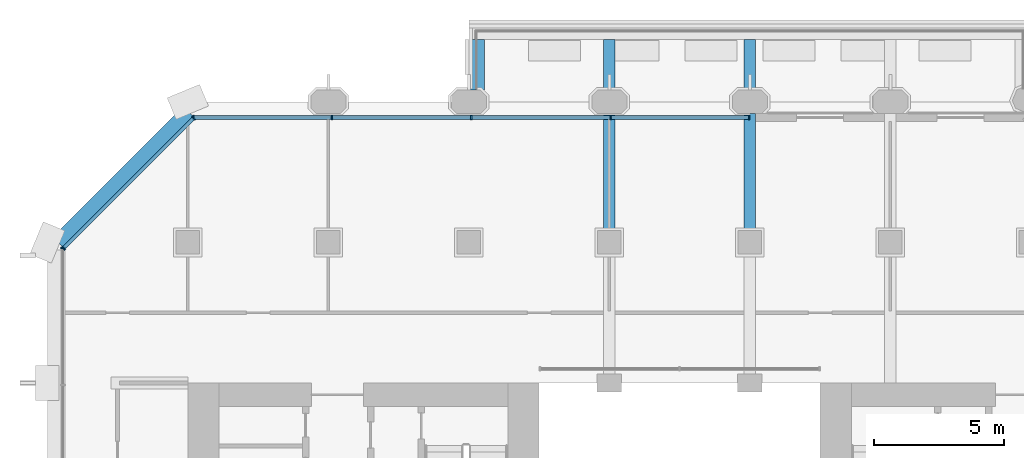
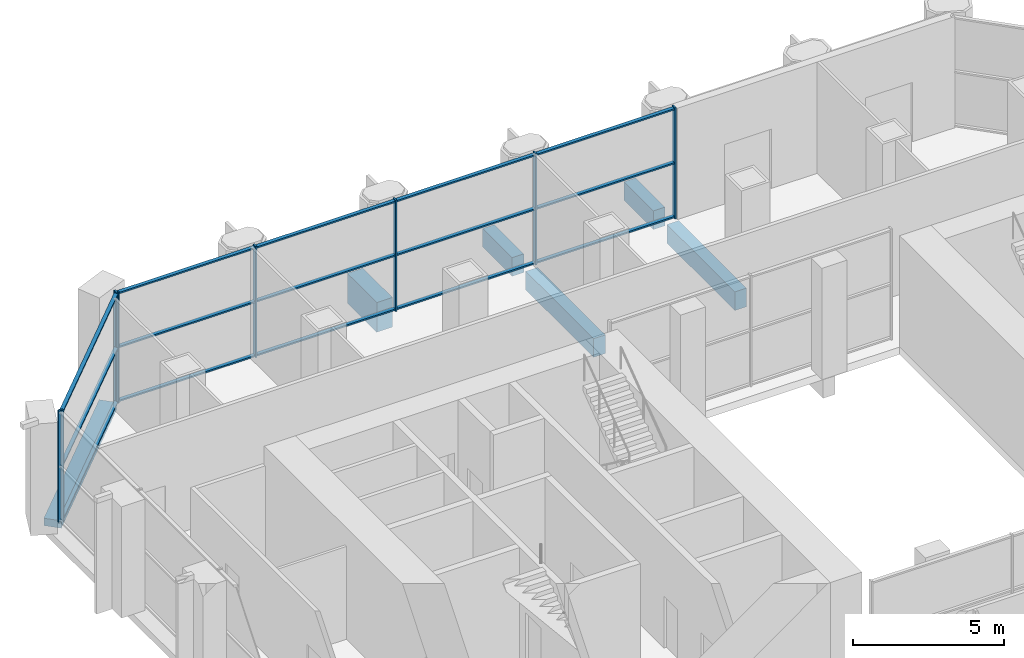
# One storey, part 7 of 15: 23 members, 6 beams, 3 elements without a shape of their own.
"""IFC4 building model written with IfcOpenShell, lengths in metres."""

from ifc_helpers import new_model, si_unit, direction, frame, origin, origin_2d, place, context, subcontext, project, spatial, rectangle, extrude, material, material_profile, profile_set, type_object, element, aggregate, save


model = new_model("IFC4")

# Units and contexts
model_context = context("Model", 3, precision=1e-05, world=origin(), true_north=direction((0.0, 1.0)))
body_context = subcontext(model_context, "Body", "Model", "MODEL_VIEW")
ifc_project = project(units=[si_unit("LENGTHUNIT", "METRE"), si_unit("AREAUNIT", "SQUARE_METRE"), si_unit("VOLUMEUNIT", "CUBIC_METRE"), si_unit("PLANEANGLEUNIT", "RADIAN"), si_unit("MASSUNIT", "GRAM", prefix="KILO")], contexts=[model_context])

# Site, building, storey
site_placement = place(None, origin())
site = spatial("IfcSite", under=ifc_project, at=site_placement, CompositionType="ELEMENT")
building_placement = place(site_placement, origin())
building = spatial("IfcBuilding", under=site, at=building_placement, Name="Tabaq Tower and Sports Hall", CompositionType="ELEMENT")
storey_placement = place(building_placement, frame((0.0, 0.0, 148.0)))
storey = spatial("IfcBuildingStorey", under=building, at=storey_placement, Name="L34", CompositionType="ELEMENT", Elevation=148.0)

# Curtain wall, members
ifc_material_1 = material(Name="Aluminium alloy 6063-T6 framed glazing", Category="aluminium")
curtain_wall_type = type_object("IfcCurtainWallType", Name="CW3 curtain wall", PredefinedType="USERDEFINED", material=ifc_material_1)
curtain_wall_1_placement = place(storey_placement, origin())
curtain_wall_1 = element("IfcCurtainWall", 1, at=curtain_wall_1_placement, inside=storey, type_object=curtain_wall_type, Name="Garden Floor Wall L34 N", ObjectType="GARDEN FLOOR WALL", PredefinedType="USERDEFINED")
ifc_material_2 = material(Name="Aluminium alloy 6063-T6", Category="aluminium")
ifc_material_profile_1 = material_profile(ifc_material_2, rectangle(XDim=0.179931640625, YDim=0.06005859375, at=origin_2d()), Name="MULLION 180x60")
ifc_profile_set_1 = profile_set([ifc_material_profile_1], Name="Aluminium alloy 6063-T6")
member_type_1 = type_object("IfcMemberType", Name="CW3 mullion 180x60", PredefinedType="MULLION", material=ifc_profile_set_1)
member_1_placement = place(storey_placement, frame((26.969970703125, 42.60009765625, 0.0), z_axis=(0.0, 0.0, 1.0), x_axis=(0.0, -1.0, 0.0)))
member_1 = element("IfcMember", 2, at=member_1_placement, type_object=member_type_1, Name="CW3 mullion 1", PredefinedType="MULLION", context=body_context, shape_type="SweptSolid", body=[
    extrude(rectangle(XDim=0.179931640625, YDim=0.06005859375, at=origin_2d()), origin(), (0.0, 0.0, 1.0), 4.5),
])
member_2_placement = place(storey_placement, frame((21.646484375, 42.60009765625, 0.0), z_axis=(0.0, 0.0, 1.0), x_axis=(0.0, -1.0, 0.0)))
member_2 = element("IfcMember", 3, at=member_2_placement, type_object=member_type_1, Name="CW3 mullion 2", PredefinedType="MULLION", context=body_context, shape_type="SweptSolid", body=[
    extrude(rectangle(XDim=0.179931640625, YDim=0.06005859375, at=origin_2d()), origin(), (0.0, 0.0, 1.0), 4.5),
])
member_3_placement = place(storey_placement, frame((16.293212890625, 42.60009765625, 0.0), z_axis=(0.0, 0.0, 1.0), x_axis=(0.0, -1.0, 0.0)))
member_3 = element("IfcMember", 4, at=member_3_placement, type_object=member_type_1, Name="CW3 mullion 3", PredefinedType="MULLION", context=body_context, shape_type="SweptSolid", body=[
    extrude(rectangle(XDim=0.179931640625, YDim=0.06005859375, at=origin_2d()), origin(), (0.0, 0.0, 1.0), 4.5),
])
member_4_placement = place(storey_placement, frame((10.939697265625, 42.60009765625, 0.0), z_axis=(0.0, 0.0, 1.0), x_axis=(0.0, -1.0, 0.0)))
member_4 = element("IfcMember", 5, at=member_4_placement, type_object=member_type_1, Name="CW3 mullion 4", PredefinedType="MULLION", context=body_context, shape_type="SweptSolid", body=[
    extrude(rectangle(XDim=0.179931640625, YDim=0.06005859375, at=origin_2d()), origin(), (0.0, 0.0, 1.0), 4.5),
])
member_5_placement = place(storey_placement, frame((5.616455078125, 42.60009765625, 0.0), z_axis=(0.0, 0.0, 1.0), x_axis=(0.0, -1.0, 0.0)))
member_5 = element("IfcMember", 6, at=member_5_placement, type_object=member_type_1, Name="CW3 mullion 5", PredefinedType="MULLION", context=body_context, shape_type="SweptSolid", body=[
    extrude(rectangle(XDim=0.179931640625, YDim=0.06005859375, at=origin_2d()), origin(), (0.0, 0.0, 1.0), 4.5),
])

curtain_wall_2_placement = place(storey_placement, origin())
curtain_wall_2 = element("IfcCurtainWall", 7, at=curtain_wall_2_placement, inside=storey, type_object=curtain_wall_type, Name="Garden Floor Wall L34 NW", ObjectType="GARDEN FLOOR WALL", PredefinedType="USERDEFINED")
member_6_placement = place(storey_placement, frame((5.627197265625, 42.578857421875, 0.0), z_axis=(0.0, 0.0, 1.0), x_axis=(0.707106781187, -0.707106781187, 0.0)))
member_6 = element("IfcMember", 8, at=member_6_placement, type_object=member_type_1, Name="CW3 mullion 1", PredefinedType="MULLION", context=body_context, shape_type="SweptSolid", body=[
    extrude(rectangle(XDim=0.179931640625, YDim=0.06005859375, at=origin_2d()), origin(), (0.0, 0.0, 1.0), 4.5),
])
member_7_placement = place(storey_placement, frame((0.62109375, 37.57275390625, 0.0), z_axis=(0.0, 0.0, 1.0), x_axis=(0.707106781187, -0.707106781187, 0.0)))
member_7 = element("IfcMember", 9, at=member_7_placement, type_object=member_type_1, Name="CW3 mullion 2", PredefinedType="MULLION", context=body_context, shape_type="SweptSolid", body=[
    extrude(rectangle(XDim=0.179931640625, YDim=0.06005859375, at=origin_2d()), origin(), (0.0, 0.0, 1.0), 4.5),
])

# Curtain wall, member
curtain_wall_3_placement = place(storey_placement, origin())
curtain_wall_3 = element("IfcCurtainWall", 10, at=curtain_wall_3_placement, inside=storey, type_object=curtain_wall_type, Name="Garden Floor Wall L34 W", ObjectType="GARDEN FLOOR WALL", PredefinedType="USERDEFINED")
member_8_placement = place(storey_placement, frame((0.60009765625, 37.58349609375, 0.0), z_axis=(0.0, 0.0, 1.0), x_axis=(1.0, 0.0, 0.0)))
member_8 = element("IfcMember", 11, at=member_8_placement, type_object=member_type_1, Name="CW3 mullion 1", PredefinedType="MULLION", context=body_context, shape_type="SweptSolid", body=[
    extrude(rectangle(XDim=0.179931640625, YDim=0.06005859375, at=origin_2d()), origin(), (0.0, 0.0, 1.0), 4.5),
])
aggregate(curtain_wall_3, [member_8])

# Member
ifc_material_3 = material(Name="Aluminium alloy 6063-T6", Category="aluminium")
ifc_material_profile_2 = material_profile(ifc_material_3, rectangle(XDim=0.139892578125, YDim=0.06005859375, at=origin_2d()), Name="TRANSOM 140x60")
ifc_profile_set_2 = profile_set([ifc_material_profile_2], Name="Aluminium alloy 6063-T6")
member_type_2 = type_object("IfcMemberType", Name="CW3 transom 140x60", PredefinedType="USERDEFINED", material=ifc_profile_set_2)
member_9_placement = place(storey_placement, frame((26.93994140625, 42.60009765625, 0.070068359375), z_axis=(-1.0, 0.0, 0.0), x_axis=(0.0, -1.0, 0.0)))
member_9 = element("IfcMember", 12, at=member_9_placement, type_object=member_type_2, Name="CW3 transom 1.1", ObjectType="TRANSOM", PredefinedType="USERDEFINED", context=body_context, shape_type="SweptSolid", body=[
    extrude(rectangle(XDim=0.139892578125, YDim=0.06005859375, at=origin_2d()), origin(), (0.0, 0.0, 1.0), 5.263427734375),
])

member_10_placement = place(storey_placement, frame((26.93994140625, 42.60009765625, 2.25), z_axis=(-1.0, 0.0, 0.0), x_axis=(0.0, -1.0, 0.0)))
member_10 = element("IfcMember", 13, at=member_10_placement, type_object=member_type_2, Name="CW3 transom 1.2", ObjectType="TRANSOM", PredefinedType="USERDEFINED", context=body_context, shape_type="SweptSolid", body=[
    extrude(rectangle(XDim=0.139892578125, YDim=0.06005859375, at=origin_2d()), origin(), (0.0, 0.0, 1.0), 5.263427734375),
])

member_11_placement = place(storey_placement, frame((26.93994140625, 42.60009765625, 4.429931640625), z_axis=(-1.0, 0.0, 0.0), x_axis=(0.0, -1.0, 0.0)))
member_11 = element("IfcMember", 14, at=member_11_placement, type_object=member_type_2, Name="CW3 transom 1.3", ObjectType="TRANSOM", PredefinedType="USERDEFINED", context=body_context, shape_type="SweptSolid", body=[
    extrude(rectangle(XDim=0.139892578125, YDim=0.06005859375, at=origin_2d()), origin(), (0.0, 0.0, 1.0), 5.263427734375),
])

member_12_placement = place(storey_placement, frame((21.61669921875, 42.60009765625, 0.070068359375), z_axis=(-1.0, 0.0, 0.0), x_axis=(0.0, -1.0, 0.0)))
member_12 = element("IfcMember", 15, at=member_12_placement, type_object=member_type_2, Name="CW3 transom 2.1", ObjectType="TRANSOM", PredefinedType="USERDEFINED", context=body_context, shape_type="SweptSolid", body=[
    extrude(rectangle(XDim=0.139892578125, YDim=0.06005859375, at=origin_2d()), origin(), (0.0, 0.0, 1.0), 5.29345703125),
])

member_13_placement = place(storey_placement, frame((21.61669921875, 42.60009765625, 2.25), z_axis=(-1.0, 0.0, 0.0), x_axis=(0.0, -1.0, 0.0)))
member_13 = element("IfcMember", 16, at=member_13_placement, type_object=member_type_2, Name="CW3 transom 2.2", ObjectType="TRANSOM", PredefinedType="USERDEFINED", context=body_context, shape_type="SweptSolid", body=[
    extrude(rectangle(XDim=0.139892578125, YDim=0.06005859375, at=origin_2d()), origin(), (0.0, 0.0, 1.0), 5.29345703125),
])

member_14_placement = place(storey_placement, frame((21.61669921875, 42.60009765625, 4.429931640625), z_axis=(-1.0, 0.0, 0.0), x_axis=(0.0, -1.0, 0.0)))
member_14 = element("IfcMember", 17, at=member_14_placement, type_object=member_type_2, Name="CW3 transom 2.3", ObjectType="TRANSOM", PredefinedType="USERDEFINED", context=body_context, shape_type="SweptSolid", body=[
    extrude(rectangle(XDim=0.139892578125, YDim=0.06005859375, at=origin_2d()), origin(), (0.0, 0.0, 1.0), 5.29345703125),
])

member_15_placement = place(storey_placement, frame((16.26318359375, 42.60009765625, 0.070068359375), z_axis=(-1.0, 0.0, 0.0), x_axis=(0.0, -1.0, 0.0)))
member_15 = element("IfcMember", 18, at=member_15_placement, type_object=member_type_2, Name="CW3 transom 3.1", ObjectType="TRANSOM", PredefinedType="USERDEFINED", context=body_context, shape_type="SweptSolid", body=[
    extrude(rectangle(XDim=0.139892578125, YDim=0.06005859375, at=origin_2d()), origin(), (0.0, 0.0, 1.0), 5.29345703125),
])

member_16_placement = place(storey_placement, frame((16.26318359375, 42.60009765625, 2.25), z_axis=(-1.0, 0.0, 0.0), x_axis=(0.0, -1.0, 0.0)))
member_16 = element("IfcMember", 19, at=member_16_placement, type_object=member_type_2, Name="CW3 transom 3.2", ObjectType="TRANSOM", PredefinedType="USERDEFINED", context=body_context, shape_type="SweptSolid", body=[
    extrude(rectangle(XDim=0.139892578125, YDim=0.06005859375, at=origin_2d()), origin(), (0.0, 0.0, 1.0), 5.29345703125),
])

member_17_placement = place(storey_placement, frame((16.26318359375, 42.60009765625, 4.429931640625), z_axis=(-1.0, 0.0, 0.0), x_axis=(0.0, -1.0, 0.0)))
member_17 = element("IfcMember", 20, at=member_17_placement, type_object=member_type_2, Name="CW3 transom 3.3", ObjectType="TRANSOM", PredefinedType="USERDEFINED", context=body_context, shape_type="SweptSolid", body=[
    extrude(rectangle(XDim=0.139892578125, YDim=0.06005859375, at=origin_2d()), origin(), (0.0, 0.0, 1.0), 5.29345703125),
])

member_18_placement = place(storey_placement, frame((10.909912109375, 42.60009765625, 0.070068359375), z_axis=(-1.0, 0.0, 0.0), x_axis=(0.0, -1.0, 0.0)))
member_18 = element("IfcMember", 21, at=member_18_placement, type_object=member_type_2, Name="CW3 transom 4.1", ObjectType="TRANSOM", PredefinedType="USERDEFINED", context=body_context, shape_type="SweptSolid", body=[
    extrude(rectangle(XDim=0.139892578125, YDim=0.06005859375, at=origin_2d()), origin(), (0.0, 0.0, 1.0), 5.263427734375),
])

member_19_placement = place(storey_placement, frame((10.909912109375, 42.60009765625, 2.25), z_axis=(-1.0, 0.0, 0.0), x_axis=(0.0, -1.0, 0.0)))
member_19 = element("IfcMember", 22, at=member_19_placement, type_object=member_type_2, Name="CW3 transom 4.2", ObjectType="TRANSOM", PredefinedType="USERDEFINED", context=body_context, shape_type="SweptSolid", body=[
    extrude(rectangle(XDim=0.139892578125, YDim=0.06005859375, at=origin_2d()), origin(), (0.0, 0.0, 1.0), 5.263427734375),
])

member_20_placement = place(storey_placement, frame((10.909912109375, 42.60009765625, 4.429931640625), z_axis=(-1.0, 0.0, 0.0), x_axis=(0.0, -1.0, 0.0)))
member_20 = element("IfcMember", 23, at=member_20_placement, type_object=member_type_2, Name="CW3 transom 4.3", ObjectType="TRANSOM", PredefinedType="USERDEFINED", context=body_context, shape_type="SweptSolid", body=[
    extrude(rectangle(XDim=0.139892578125, YDim=0.06005859375, at=origin_2d()), origin(), (0.0, 0.0, 1.0), 5.263427734375),
])

aggregate(curtain_wall_1, [member_1, member_2, member_3, member_4, member_5, member_9, member_10, member_11, member_12, member_13, member_14, member_15, member_16, member_17, member_18, member_19, member_20])

member_21_placement = place(storey_placement, frame((5.606201171875, 42.5576171875, 0.070068359375), z_axis=(-0.707124170412, -0.707089391533, 0.0), x_axis=(0.707089391533, -0.707124170412, 0.0)))
member_21 = element("IfcMember", 24, at=member_21_placement, type_object=member_type_2, Name="CW3 transom 1.1", ObjectType="TRANSOM", PredefinedType="USERDEFINED", context=body_context, shape_type="SweptSolid", body=[
    extrude(rectangle(XDim=0.139892578125, YDim=0.06005859375, at=origin_2d()), origin(), (0.0, 0.0, 1.0), 7.019775390625),
])

member_22_placement = place(storey_placement, frame((5.606201171875, 42.5576171875, 2.25), z_axis=(-0.707124170412, -0.707089391533, 0.0), x_axis=(0.707089391533, -0.707124170412, 0.0)))
member_22 = element("IfcMember", 25, at=member_22_placement, type_object=member_type_2, Name="CW3 transom 1.2", ObjectType="TRANSOM", PredefinedType="USERDEFINED", context=body_context, shape_type="SweptSolid", body=[
    extrude(rectangle(XDim=0.139892578125, YDim=0.06005859375, at=origin_2d()), origin(), (0.0, 0.0, 1.0), 7.019775390625),
])

member_23_placement = place(storey_placement, frame((5.606201171875, 42.5576171875, 4.429931640625), z_axis=(-0.707124170412, -0.707089391533, 0.0), x_axis=(0.707089391533, -0.707124170412, 0.0)))
member_23 = element("IfcMember", 26, at=member_23_placement, type_object=member_type_2, Name="CW3 transom 1.3", ObjectType="TRANSOM", PredefinedType="USERDEFINED", context=body_context, shape_type="SweptSolid", body=[
    extrude(rectangle(XDim=0.139892578125, YDim=0.06005859375, at=origin_2d()), origin(), (0.0, 0.0, 1.0), 7.019775390625),
])

aggregate(curtain_wall_2, [member_6, member_7, member_21, member_22, member_23])

# Beams
ifc_material_4 = material(Name="Concrete C40/50", Category="concrete")
ifc_material_profile_3 = material_profile(ifc_material_4, rectangle(XDim=0.60009765625, YDim=1.199951171875, at=origin_2d()), Name="EBT 600x1200")
ifc_profile_set_3 = profile_set([ifc_material_profile_3], Name="Concrete C40/50")
beam_type_1 = type_object("IfcBeamType", Name="Concrete C40/50 PT edge band EBT 600x1200", PredefinedType="BEAM", material=ifc_profile_set_3)
beam_1_placement = place(storey_placement, frame((16.5, 43.64990234375, -0.89990234375), z_axis=(0.0, 1.0, 0.0), x_axis=(-1.0, 0.0, 0.0)))
element("IfcBeam", 27, at=beam_1_placement, inside=storey, type_object=beam_type_1, Name="Tray edge band L34", PredefinedType="BEAM", context=body_context, shape_type="SweptSolid", body=[
    extrude(rectangle(XDim=0.60009765625, YDim=1.199951171875, at=origin_2d()), origin(), (0.0, 0.0, 1.0), 1.9501953125),
])
ifc_material_5 = material(Name="Concrete C40/50", Category="concrete")
ifc_material_profile_4 = material_profile(ifc_material_5, rectangle(XDim=0.449951171875, YDim=0.75, at=origin_2d()), Name="CB 450x750")
ifc_profile_set_4 = profile_set([ifc_material_profile_4], Name="Concrete C40/50")
beam_type_2 = type_object("IfcBeamType", Name="PT CANTILEVER BEAM CB 450x750 C40/50", PredefinedType="BEAM", material=ifc_profile_set_4)
beam_2_placement = place(storey_placement, frame((27.0, 45.60009765625, -0.675048828125), z_axis=(0.0, -1.0, 0.0), x_axis=(1.0, 0.0, 0.0)))
element("IfcBeam", 28, at=beam_2_placement, inside=storey, type_object=beam_type_2, Name="Tray Cantilever Beam L34 T2 span 1", PredefinedType="BEAM", context=body_context, shape_type="SweptSolid", body=[
    extrude(rectangle(XDim=0.449951171875, YDim=0.75, at=origin_2d()), origin(), (0.0, 0.0, 1.0), 1.9501953125),
])
beam_3_placement = place(storey_placement, frame((27.0, 42.75, -0.675048828125), z_axis=(0.0, -1.0, 0.0), x_axis=(1.0, 0.0, 0.0)))
element("IfcBeam", 29, at=beam_3_placement, inside=storey, type_object=beam_type_2, Name="Tray Cantilever Beam L34 T2 span 2", PredefinedType="BEAM", context=body_context, shape_type="SweptSolid", body=[
    extrude(rectangle(XDim=0.449951171875, YDim=0.75, at=origin_2d()), origin(), (0.0, 0.0, 1.0), 4.5),
])
beam_4_placement = place(storey_placement, frame((21.60009765625, 45.60009765625, -0.675048828125), z_axis=(0.0, -1.0, 0.0), x_axis=(1.0, 0.0, 0.0)))
element("IfcBeam", 30, at=beam_4_placement, inside=storey, type_object=beam_type_2, Name="Tray Cantilever Beam L34 T3 span 1", PredefinedType="BEAM", context=body_context, shape_type="SweptSolid", body=[
    extrude(rectangle(XDim=0.449951171875, YDim=0.75, at=origin_2d()), origin(), (0.0, 0.0, 1.0), 1.9501953125),
])
beam_5_placement = place(storey_placement, frame((21.60009765625, 42.75, -0.675048828125), z_axis=(0.0, -1.0, 0.0), x_axis=(1.0, 0.0, 0.0)))
element("IfcBeam", 31, at=beam_5_placement, inside=storey, type_object=beam_type_2, Name="Tray Cantilever Beam L34 T3 span 2", PredefinedType="BEAM", context=body_context, shape_type="SweptSolid", body=[
    extrude(rectangle(XDim=0.449951171875, YDim=0.75, at=origin_2d()), origin(), (0.0, 0.0, 1.0), 4.5),
])
ifc_material_6 = material(Name="Concrete C40/50", Category="concrete")
ifc_material_profile_5 = material_profile(ifc_material_6, rectangle(XDim=0.60009765625, YDim=0.300048828125, at=origin_2d()), Name="EB 600x300")
ifc_profile_set_5 = profile_set([ifc_material_profile_5], Name="Concrete C40/50")
beam_type_3 = type_object("IfcBeamType", Name="PT EDGE BEAM EB 600x300 C40/50", PredefinedType="SPANDREL", material=ifc_profile_set_5)
beam_6_placement = place(storey_placement, frame((5.435302734375, 42.81103515625, -0.14990234375), z_axis=(-0.707106781187, -0.707106781187, 0.0), x_axis=(0.707106781187, -0.707106781187, 0.0)))
element("IfcBeam", 32, at=beam_6_placement, inside=storey, type_object=beam_type_3, Name="Edge Beam L34 2", PredefinedType="SPANDREL", context=body_context, shape_type="SweptSolid", body=[
    extrude(rectangle(XDim=0.60009765625, YDim=0.300048828125, at=origin_2d()), origin(), (0.0, 0.0, 1.0), 7.087890625),
])

save(model, "model.ifc")
